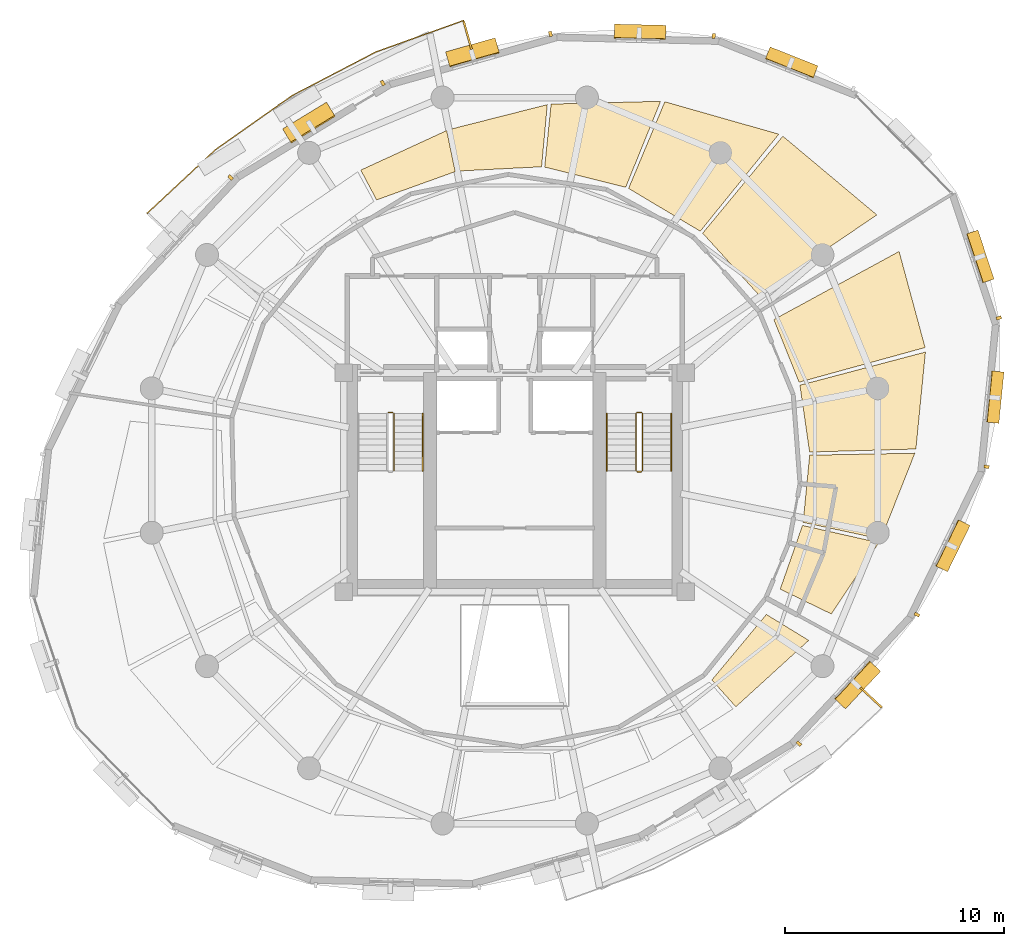
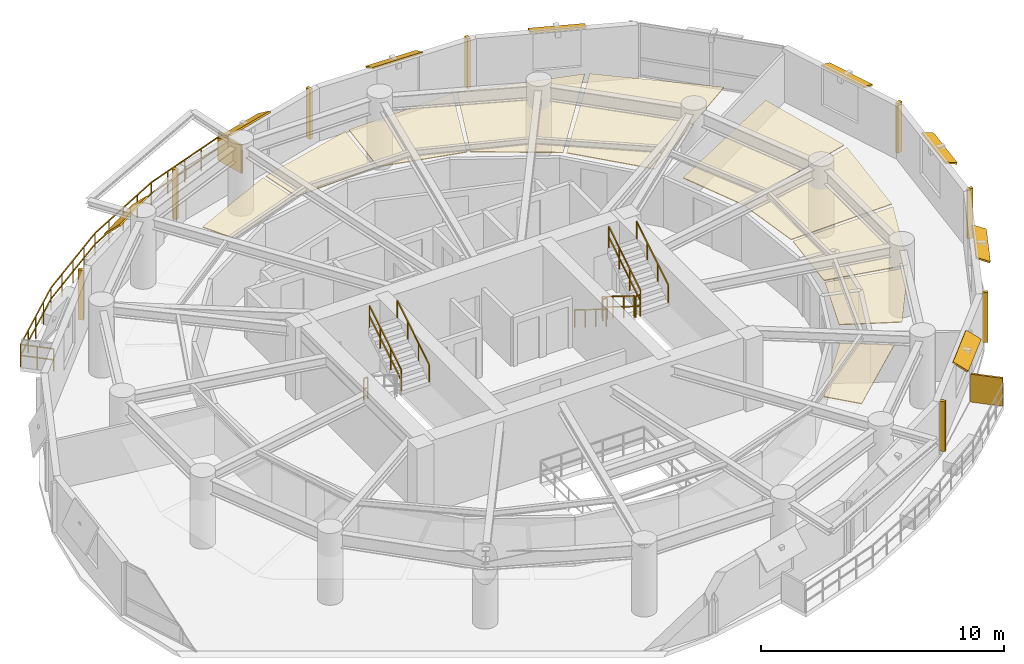
# One storey, part 14 of 15: 18 shading devices, 10 coverings, 10 railings.
"""IFC4 building model written with IfcOpenShell, lengths in metres."""

from ifc_helpers import new_model, si_unit, direction, frame, origin, origin_2d, place, context, subcontext, project, spatial, polyline, rectangle, outline, extrude, material, layer, layer_set, type_object, element, save


model = new_model("IFC4")

# Units and contexts
model_context = context("Model", 3, precision=1e-05, world=origin(), true_north=direction((0.0, 1.0)))
body_context = subcontext(model_context, "Body", "Model", "MODEL_VIEW")
ifc_project = project(units=[si_unit("LENGTHUNIT", "METRE"), si_unit("AREAUNIT", "SQUARE_METRE"), si_unit("VOLUMEUNIT", "CUBIC_METRE"), si_unit("PLANEANGLEUNIT", "RADIAN"), si_unit("MASSUNIT", "GRAM", prefix="KILO"), si_unit("THERMODYNAMICTEMPERATUREUNIT", "KELVIN"), si_unit("POWERUNIT", "WATT")], contexts=[model_context])

# Site, building, storey
site_placement = place(None, origin())
site = spatial("IfcSite", under=ifc_project, at=site_placement, CompositionType="ELEMENT")
building_placement = place(site_placement, origin())
building = spatial("IfcBuilding", under=site, at=building_placement, Name="Ocrelia Relay Tower", CompositionType="ELEMENT")
storey_placement = place(building_placement, frame((0.0, 0.0, 166.39990234375)))
storey = spatial("IfcBuildingStorey", under=building, at=storey_placement, Name="L39", CompositionType="ELEMENT", Elevation=166.39990234375)

# Coverings
ifc_material_1 = material(Name="Mineral-fiber acoustic ceiling tile", Category="gypsum")
ifc_layer_1 = layer(ifc_material_1, 0.0400390625, Name="Mineral-fiber acoustic ceiling tile")
ifc_layer_set_1 = layer_set([ifc_layer_1], Name="Mineral-fiber acoustic ceiling tile")
covering_type_1 = type_object("IfcCoveringType", Name="COV-CEIL-ACOUSTIC", PredefinedType="CEILING", material=ifc_layer_set_1)
covering_1_placement = place(storey_placement, frame((0.0, 0.0, 2.380126953125)))
element("IfcCovering", 1, at=covering_1_placement, inside=storey, type_object=covering_type_1, Name="L39 Spectrum Operations Office Suspended Ceiling 1", PredefinedType="CEILING", context=body_context, shape_type="SweptSolid", body=[
    extrude(outline(polyline([(46.122314453125, 20.126953125), (48.458984375, 18.99462890625), (50.6328125, 22.251708984375), (47.140380859375, 23.038818359375), (46.122314453125, 20.126953125)])), origin(), (0.0, 0.0, 1.0), 0.0400390625),
])
covering_2_placement = place(storey_placement, frame((0.0, 0.0, 2.380126953125)))
element("IfcCovering", 2, at=covering_2_placement, inside=storey, type_object=covering_type_1, Name="L39 Spectrum Operations Office Suspended Ceiling 2", PredefinedType="CEILING", context=body_context, shape_type="SweptSolid", body=[
    extrude(outline(polyline([(47.170654296875, 23.176513671875), (50.720703125, 22.415283203125), (52.269775390625, 26.334716796875), (47.4677734375, 26.246826171875), (47.170654296875, 23.176513671875)])), origin(), (0.0, 0.0, 1.0), 0.0400390625),
])
covering_3_placement = place(storey_placement, frame((0.0, 0.0, 2.380126953125)))
element("IfcCovering", 3, at=covering_3_placement, inside=storey, type_object=covering_type_1, Name="L39 Spectrum Operations Office Suspended Ceiling 3", PredefinedType="CEILING", context=body_context, shape_type="SweptSolid", body=[
    extrude(outline(polyline([(47.46435546875, 26.387939453125), (52.319091796875, 26.527587890625), (52.75390625, 30.955078125), (47.023193359375, 29.44091796875), (47.46435546875, 26.387939453125)])), origin(), (0.0, 0.0, 1.0), 0.0400390625),
])
covering_4_placement = place(storey_placement, frame((0.0, 0.0, 2.380126953125)))
element("IfcCovering", 4, at=covering_4_placement, inside=storey, type_object=covering_type_1, Name="L39 Spectrum Operations Office Suspended Ceiling 4", PredefinedType="CEILING", context=body_context, shape_type="SweptSolid", body=[
    extrude(outline(polyline([(46.986328125, 29.576904296875), (52.739501953125, 31.16162109375), (51.5517578125, 35.5498046875), (45.83203125, 32.437744140625), (46.986328125, 29.576904296875)])), origin(), (0.0, 0.0, 1.0), 0.0400390625),
])
covering_5_placement = place(storey_placement, frame((0.0, 0.0, 2.380126953125)))
element("IfcCovering", 5, at=covering_5_placement, inside=storey, type_object=covering_type_1, Name="L39 Cloud Engineering Workspace Suspended Ceiling 1", PredefinedType="CEILING", context=body_context, shape_type="SweptSolid", body=[
    extrude(outline(polyline([(45.1474609375, 33.5615234375), (50.5361328125, 37.216796875), (46.243408203125, 40.81298828125), (42.58154296875, 36.382568359375), (45.1474609375, 33.5615234375)])), origin(), (0.0, 0.0, 1.0), 0.0400390625),
])
covering_6_placement = place(storey_placement, frame((0.0, 0.0, 2.380126953125)))
element("IfcCovering", 6, at=covering_6_placement, inside=storey, type_object=covering_type_1, Name="L39 Cloud Engineering Workspace Suspended Ceiling 2", PredefinedType="CEILING", context=body_context, shape_type="SweptSolid", body=[
    extrude(outline(polyline([(42.472412109375, 36.471923828125), (46.05908203125, 40.9052734375), (40.85400390625, 42.385009765625), (39.1982421875, 38.426513671875), (42.472412109375, 36.471923828125)])), origin(), (0.0, 0.0, 1.0), 0.0400390625),
])
covering_7_placement = place(storey_placement, frame((0.0, 0.0, 2.380126953125)))
element("IfcCovering", 7, at=covering_7_placement, inside=storey, type_object=covering_type_1, Name="L39 Cloud Engineering Workspace Suspended Ceiling 3", PredefinedType="CEILING", context=body_context, shape_type="SweptSolid", body=[
    extrude(outline(polyline([(39.067626953125, 38.480224609375), (40.66162109375, 42.405517578125), (35.660888671875, 42.279296875), (35.3671875, 39.400390625), (39.067626953125, 38.480224609375)])), origin(), (0.0, 0.0, 1.0), 0.0400390625),
])
covering_8_placement = place(storey_placement, frame((0.0, 0.0, 2.380126953125)))
element("IfcCovering", 8, at=covering_8_placement, inside=storey, type_object=covering_type_1, Name="L39 Cloud Engineering Workspace Suspended Ceiling 4", PredefinedType="CEILING", context=body_context, shape_type="SweptSolid", body=[
    extrude(outline(polyline([(35.226806640625, 39.4140625), (35.486328125, 42.25341796875), (31.046142578125, 41.12548828125), (31.418212890625, 39.22021484375), (35.226806640625, 39.4140625)])), origin(), (0.0, 0.0, 1.0), 0.0400390625),
])
covering_9_placement = place(storey_placement, frame((0.0, 0.0, 2.380126953125)))
element("IfcCovering", 9, at=covering_9_placement, inside=storey, type_object=covering_type_1, Name="L39 Cloud Engineering Workspace Suspended Ceiling 5", PredefinedType="CEILING", context=body_context, shape_type="SweptSolid", body=[
    extrude(outline(polyline([(31.280029296875, 39.1923828125), (30.892822265625, 41.0703125), (26.9697265625, 39.263916015625), (27.69189453125, 37.901611328125), (31.280029296875, 39.1923828125)])), origin(), (0.0, 0.0, 1.0), 0.0400390625),
])
ifc_material_2 = material(Name="Cleanroom metal-pan acoustic ceiling", Category="aluminium")
ifc_layer_2 = layer(ifc_material_2, 0.0400390625, Name="Cleanroom metal-pan acoustic ceiling")
ifc_layer_set_2 = layer_set([ifc_layer_2], Name="Cleanroom metal-pan acoustic ceiling")
covering_type_2 = type_object("IfcCoveringType", Name="COV-CEIL-CLEAN", PredefinedType="CEILING", material=ifc_layer_set_2)
covering_10_placement = place(storey_placement, frame((0.0, 0.0, 2.380126953125)))
element("IfcCovering", 10, at=covering_10_placement, inside=storey, type_object=covering_type_2, Name="L39 Protocol Simulation Studio Suspended Ceiling 9", PredefinedType="CEILING", context=body_context, shape_type="SweptSolid", body=[
    extrude(outline(polyline([(43.00048828125, 15.978515625), (44.09765625, 14.757080078125), (47.4248046875, 17.789306640625), (45.4912109375, 18.971923828125), (43.00048828125, 15.978515625)])), origin(), (0.0, 0.0, 1.0), 0.0400390625),
])

# Railings
ifc_material_3 = material(Name="Steel S355 balustrade", Category="steel")
railing_type_1 = type_object("IfcRailingType", Name="RL-EXT-GUARD-1150", PredefinedType="GUARDRAIL", material=ifc_material_3)
railing_1_placement = place(storey_placement, frame((18.23583984375, 36.346435546875, 0.0)))
element("IfcRailing", 11, at=railing_1_placement, inside=storey, type_object=railing_type_1, Name="L39 Loggia Balcony Guard Rail B1", PredefinedType="GUARDRAIL", context=body_context, shape_type="SweptSolid", body=[
    extrude(rectangle(XDim=0.048095703125, YDim=0.048095703125, at=origin_2d()), frame((0.0, 0.0, 1.1259765625), z_axis=(-0.731294097738, 0.6820622718, 0.0), x_axis=(-0.6820622718, -0.731294097738, 0.0)), (0.0, 0.0, 1.0), 1.3935546875),
    extrude(rectangle(XDim=0.048095703125, YDim=0.048095703125, at=origin_2d()), frame((0.0, 0.0, 0.574951171875), z_axis=(-0.731294097738, 0.6820622718, 0.0), x_axis=(-0.6820622718, -0.731294097738, 0.0)), (0.0, 0.0, 1.0), 1.3935546875),
    extrude(rectangle(XDim=0.048095703125, YDim=0.048095703125, at=origin_2d()), frame((-1.01904296875, 0.950439453125, 1.1259765625), z_axis=(0.731856461908, 0.681458816924, 0.0), x_axis=(-0.681458816924, 0.731856461908, 0.0)), (0.0, 0.0, 1.0), 2.126708984375),
    extrude(rectangle(XDim=0.048095703125, YDim=0.048095703125, at=origin_2d()), frame((-1.01904296875, 0.950439453125, 0.574951171875), z_axis=(0.731856461908, 0.681458816924, 0.0), x_axis=(-0.681458816924, 0.731856461908, 0.0)), (0.0, 0.0, 1.0), 2.126708984375),
    extrude(rectangle(XDim=0.048095703125, YDim=0.048095703125, at=origin_2d()), frame((0.537353515625, 2.399658203125, 1.1259765625), z_axis=(0.731745884926, 0.68157755237, 0.0), x_axis=(-0.68157755237, 0.731745884926, 0.0)), (0.0, 0.0, 1.0), 2.126708984375),
    extrude(rectangle(XDim=0.048095703125, YDim=0.048095703125, at=origin_2d()), frame((0.537353515625, 2.399658203125, 0.574951171875), z_axis=(0.731745884926, 0.68157755237, 0.0), x_axis=(-0.68157755237, 0.731745884926, 0.0)), (0.0, 0.0, 1.0), 2.126708984375),
    extrude(rectangle(XDim=0.048095703125, YDim=0.048095703125, at=origin_2d()), frame((2.093505859375, 3.84912109375, 1.1259765625), z_axis=(0.817271506757, 0.576252795432, 0.0), x_axis=(-0.576252795432, 0.817271506757, 0.0)), (0.0, 0.0, 1.0), 4.299072265625),
    extrude(rectangle(XDim=0.048095703125, YDim=0.048095703125, at=origin_2d()), frame((2.093505859375, 3.84912109375, 0.574951171875), z_axis=(0.817271506757, 0.576252795432, 0.0), x_axis=(-0.576252795432, 0.817271506757, 0.0)), (0.0, 0.0, 1.0), 4.299072265625),
    extrude(rectangle(XDim=0.048095703125, YDim=0.048095703125, at=origin_2d()), frame((5.60693359375, 6.326416015625, 1.1259765625), z_axis=(0.88692280877, 0.461917667213, 0.0), x_axis=(-0.461917667213, 0.88692280877, 0.0)), (0.0, 0.0, 1.0), 4.299072265625),
    extrude(rectangle(XDim=0.048095703125, YDim=0.048095703125, at=origin_2d()), frame((5.60693359375, 6.326416015625, 0.574951171875), z_axis=(0.88692280877, 0.461917667213, 0.0), x_axis=(-0.461917667213, 0.88692280877, 0.0)), (0.0, 0.0, 1.0), 4.299072265625),
    extrude(rectangle(XDim=0.048095703125, YDim=0.048095703125, at=origin_2d()), frame((9.419921875, 8.312255859375, 1.1259765625), z_axis=(0.941239592632, 0.33773958794, 0.0), x_axis=(-0.33773958794, 0.941239592632, 0.0)), (0.0, 0.0, 1.0), 2.126708984375),
    extrude(rectangle(XDim=0.048095703125, YDim=0.048095703125, at=origin_2d()), frame((9.419921875, 8.312255859375, 0.574951171875), z_axis=(0.941239592632, 0.33773958794, 0.0), x_axis=(-0.33773958794, 0.941239592632, 0.0)), (0.0, 0.0, 1.0), 2.126708984375),
    extrude(rectangle(XDim=0.048095703125, YDim=0.048095703125, at=origin_2d()), frame((11.421630859375, 9.030517578125, 1.1259765625), z_axis=(0.941239592632, 0.33773958794, 0.0), x_axis=(-0.33773958794, 0.941239592632, 0.0)), (0.0, 0.0, 1.0), 2.126708984375),
    extrude(rectangle(XDim=0.048095703125, YDim=0.048095703125, at=origin_2d()), frame((11.421630859375, 9.030517578125, 0.574951171875), z_axis=(0.941239592632, 0.33773958794, 0.0), x_axis=(-0.33773958794, 0.941239592632, 0.0)), (0.0, 0.0, 1.0), 2.126708984375),
    extrude(rectangle(XDim=0.048095703125, YDim=0.048095703125, at=origin_2d()), frame((13.42333984375, 9.748779296875, 1.1259765625), z_axis=(0.270669475179, -0.962672340522, 0.0), x_axis=(0.962672340522, 0.270669475179, 0.0)), (0.0, 0.0, 1.0), 1.3935546875),
    extrude(rectangle(XDim=0.048095703125, YDim=0.048095703125, at=origin_2d()), frame((13.42333984375, 9.748779296875, 0.574951171875), z_axis=(0.270669475179, -0.962672340522, 0.0), x_axis=(0.962672340522, 0.270669475179, 0.0)), (0.0, 0.0, 1.0), 1.3935546875),
    extrude(rectangle(XDim=0.0419921875, YDim=0.0419921875, at=origin_2d()), origin(), (0.0, 0.0, 1.0), 1.101806640625),
    extrude(rectangle(XDim=0.0419921875, YDim=0.0419921875, at=origin_2d()), frame((-0.509521484375, 0.47509765625, 0.0)), (0.0, 0.0, 1.0), 1.101806640625),
    extrude(rectangle(XDim=0.0419921875, YDim=0.0419921875, at=origin_2d()), frame((-1.01904296875, 0.950439453125, 0.0)), (0.0, 0.0, 1.0), 1.101806640625),
    extrude(rectangle(XDim=0.0419921875, YDim=0.0419921875, at=origin_2d()), frame((-0.24072265625, 1.675048828125, 0.0)), (0.0, 0.0, 1.0), 1.101806640625),
    extrude(rectangle(XDim=0.0419921875, YDim=0.0419921875, at=origin_2d()), frame((0.537353515625, 2.399658203125, 0.0)), (0.0, 0.0, 1.0), 1.101806640625),
    extrude(rectangle(XDim=0.0419921875, YDim=0.0419921875, at=origin_2d()), frame((1.3154296875, 3.12451171875, 0.0)), (0.0, 0.0, 1.0), 1.101806640625),
    extrude(rectangle(XDim=0.0419921875, YDim=0.0419921875, at=origin_2d()), frame((2.093505859375, 3.84912109375, 0.0)), (0.0, 0.0, 1.0), 1.101806640625),
    extrude(rectangle(XDim=0.0419921875, YDim=0.0419921875, at=origin_2d()), frame((2.971923828125, 4.468505859375, 0.0)), (0.0, 0.0, 1.0), 1.101806640625),
    extrude(rectangle(XDim=0.0419921875, YDim=0.0419921875, at=origin_2d()), frame((3.85009765625, 5.087890625, 0.0)), (0.0, 0.0, 1.0), 1.101806640625),
    extrude(rectangle(XDim=0.0419921875, YDim=0.0419921875, at=origin_2d()), frame((4.728515625, 5.70703125, 0.0)), (0.0, 0.0, 1.0), 1.101806640625),
    extrude(rectangle(XDim=0.0419921875, YDim=0.0419921875, at=origin_2d()), frame((5.60693359375, 6.326416015625, 0.0)), (0.0, 0.0, 1.0), 1.101806640625),
    extrude(rectangle(XDim=0.0419921875, YDim=0.0419921875, at=origin_2d()), frame((6.56005859375, 6.82275390625, 0.0)), (0.0, 0.0, 1.0), 1.101806640625),
    extrude(rectangle(XDim=0.0419921875, YDim=0.0419921875, at=origin_2d()), frame((7.513427734375, 7.3193359375, 0.0)), (0.0, 0.0, 1.0), 1.101806640625),
    extrude(rectangle(XDim=0.0419921875, YDim=0.0419921875, at=origin_2d()), frame((8.466796875, 7.81591796875, 0.0)), (0.0, 0.0, 1.0), 1.101806640625),
    extrude(rectangle(XDim=0.0419921875, YDim=0.0419921875, at=origin_2d()), frame((9.419921875, 8.312255859375, 0.0)), (0.0, 0.0, 1.0), 1.101806640625),
    extrude(rectangle(XDim=0.0419921875, YDim=0.0419921875, at=origin_2d()), frame((10.4208984375, 8.67138671875, 0.0)), (0.0, 0.0, 1.0), 1.101806640625),
    extrude(rectangle(XDim=0.0419921875, YDim=0.0419921875, at=origin_2d()), frame((11.421630859375, 9.030517578125, 0.0)), (0.0, 0.0, 1.0), 1.101806640625),
    extrude(rectangle(XDim=0.0419921875, YDim=0.0419921875, at=origin_2d()), frame((12.42236328125, 9.3896484375, 0.0)), (0.0, 0.0, 1.0), 1.101806640625),
    extrude(rectangle(XDim=0.0419921875, YDim=0.0419921875, at=origin_2d()), frame((13.42333984375, 9.748779296875, 0.0)), (0.0, 0.0, 1.0), 1.101806640625),
    extrude(rectangle(XDim=0.0419921875, YDim=0.0419921875, at=origin_2d()), frame((13.61181640625, 9.078125, 0.0)), (0.0, 0.0, 1.0), 1.101806640625),
    extrude(rectangle(XDim=0.0419921875, YDim=0.0419921875, at=origin_2d()), frame((13.800537109375, 8.4072265625, 0.0)), (0.0, 0.0, 1.0), 1.101806640625),
])
railing_type_2 = type_object("IfcRailingType", Name="RL-STAIR-GUARD", PredefinedType="GUARDRAIL", material=ifc_material_3)
railing_2_placement = place(storey_placement, frame((28.47998046875, 25.5400390625, 1.97998046875)))
element("IfcRailing", 12, at=railing_2_placement, inside=storey, type_object=railing_type_2, Name="L39 ST1 stair guard 3", PredefinedType="GUARDRAIL", context=body_context, shape_type="SweptSolid", body=[
    extrude(rectangle(XDim=0.048095703125, YDim=0.048095703125, at=origin_2d()), frame((0.0, 0.0, 1.076171875), z_axis=(0.0, 0.849610693518, 0.52741034258), x_axis=(-1.0, 0.0, 0.0)), (0.0, 0.0, 1.0), 3.07177734375),
    extrude(rectangle(XDim=0.048095703125, YDim=0.048095703125, at=origin_2d()), frame((0.0, 0.0, 0.550048828125), z_axis=(0.0, 0.849610693518, 0.52741034258), x_axis=(-1.0, 0.0, 0.0)), (0.0, 0.0, 1.0), 3.07177734375),
    extrude(rectangle(XDim=0.0419921875, YDim=0.0419921875, at=origin_2d()), origin(), (0.0, 0.0, 1.0), 1.052001953125),
    extrude(rectangle(XDim=0.0419921875, YDim=0.0419921875, at=origin_2d()), frame((0.0, 0.869873046875, 0.5400390625)), (0.0, 0.0, 1.0), 1.052001953125),
    extrude(rectangle(XDim=0.0419921875, YDim=0.0419921875, at=origin_2d()), frame((0.0, 1.739990234375, 1.080078125)), (0.0, 0.0, 1.0), 1.052001953125),
    extrude(rectangle(XDim=0.0419921875, YDim=0.0419921875, at=origin_2d()), frame((0.0, 2.60986328125, 1.6201171875)), (0.0, 0.0, 1.0), 1.052001953125),
])
railing_3_placement = place(storey_placement, frame((28.22998046875, 28.199951171875, 0.0)))
element("IfcRailing", 13, at=railing_3_placement, inside=storey, type_object=railing_type_2, Name="L39 ST1 stair guard 4", PredefinedType="GUARDRAIL", context=body_context, shape_type="SweptSolid", body=[
    extrude(rectangle(XDim=0.048095703125, YDim=0.048095703125, at=origin_2d()), frame((0.0, 0.0, 1.076171875), z_axis=(1.0, 0.0, 0.0), x_axis=(0.0, 1.0, 0.0)), (0.0, 0.0, 1.0), 0.199951171875),
    extrude(rectangle(XDim=0.048095703125, YDim=0.048095703125, at=origin_2d()), frame((0.0, 0.0, 0.550048828125), z_axis=(1.0, 0.0, 0.0), x_axis=(0.0, 1.0, 0.0)), (0.0, 0.0, 1.0), 0.199951171875),
    extrude(rectangle(XDim=0.0419921875, YDim=0.0419921875, at=origin_2d()), origin(), (0.0, 0.0, 1.0), 1.052001953125),
    extrude(rectangle(XDim=0.0419921875, YDim=0.0419921875, at=origin_2d()), frame((0.199951171875, 0.0, 0.0)), (0.0, 0.0, 1.0), 1.052001953125),
])
railing_4_placement = place(storey_placement, frame((39.530029296875, 28.14990234375, 0.18017578125)))
element("IfcRailing", 14, at=railing_4_placement, inside=storey, type_object=railing_type_2, Name="L39 ST2 stair guard 1", PredefinedType="GUARDRAIL", context=body_context, shape_type="SweptSolid", body=[
    extrude(rectangle(XDim=0.048095703125, YDim=0.048095703125, at=origin_2d()), frame((0.0, 0.0, 1.076171875), z_axis=(0.0, -0.849646306263, 0.527352969322), x_axis=(1.0, 0.0, 0.0)), (0.0, 0.0, 1.0), 3.07177734375),
    extrude(rectangle(XDim=0.048095703125, YDim=0.048095703125, at=origin_2d()), frame((0.0, 0.0, 0.550048828125), z_axis=(0.0, -0.849646306263, 0.527352969322), x_axis=(1.0, 0.0, 0.0)), (0.0, 0.0, 1.0), 3.07177734375),
    extrude(rectangle(XDim=0.0419921875, YDim=0.0419921875, at=origin_2d()), origin(), (0.0, 0.0, 1.0), 1.052001953125),
    extrude(rectangle(XDim=0.0419921875, YDim=0.0419921875, at=origin_2d()), frame((0.0, -0.869873046875, 0.5400390625)), (0.0, 0.0, 1.0), 1.052001953125),
    extrude(rectangle(XDim=0.0419921875, YDim=0.0419921875, at=origin_2d()), frame((0.0, -1.739990234375, 1.079833984375)), (0.0, 0.0, 1.0), 1.052001953125),
    extrude(rectangle(XDim=0.0419921875, YDim=0.0419921875, at=origin_2d()), frame((0.0, -2.60986328125, 1.619873046875)), (0.0, 0.0, 1.0), 1.052001953125),
])
railing_5_placement = place(storey_placement, frame((39.580078125, 25.489990234375, 1.800048828125)))
element("IfcRailing", 15, at=railing_5_placement, inside=storey, type_object=railing_type_2, Name="L39 ST2 stair guard 2", PredefinedType="GUARDRAIL", context=body_context, shape_type="SweptSolid", body=[
    extrude(rectangle(XDim=0.048095703125, YDim=0.048095703125, at=origin_2d()), frame((0.0, 0.0, 1.076171875), z_axis=(1.0, 0.0, 0.0), x_axis=(0.0, 1.0, 0.0)), (0.0, 0.0, 1.0), 0.199951171875),
    extrude(rectangle(XDim=0.048095703125, YDim=0.048095703125, at=origin_2d()), frame((0.0, 0.0, 0.550048828125), z_axis=(1.0, 0.0, 0.0), x_axis=(0.0, 1.0, 0.0)), (0.0, 0.0, 1.0), 0.199951171875),
    extrude(rectangle(XDim=0.0419921875, YDim=0.0419921875, at=origin_2d()), origin(), (0.0, 0.0, 1.0), 1.052001953125),
    extrude(rectangle(XDim=0.0419921875, YDim=0.0419921875, at=origin_2d()), frame((0.199951171875, 0.0, 0.0)), (0.0, 0.0, 1.0), 1.052001953125),
])
railing_6_placement = place(storey_placement, frame((39.830078125, 25.5400390625, 1.97998046875)))
element("IfcRailing", 16, at=railing_6_placement, inside=storey, type_object=railing_type_2, Name="L39 ST2 stair guard 3", PredefinedType="GUARDRAIL", context=body_context, shape_type="SweptSolid", body=[
    extrude(rectangle(XDim=0.048095703125, YDim=0.048095703125, at=origin_2d()), frame((0.0, 0.0, 1.076171875), z_axis=(0.0, 0.849610693518, 0.52741034258), x_axis=(-1.0, 0.0, 0.0)), (0.0, 0.0, 1.0), 3.07177734375),
    extrude(rectangle(XDim=0.048095703125, YDim=0.048095703125, at=origin_2d()), frame((0.0, 0.0, 0.550048828125), z_axis=(0.0, 0.849610693518, 0.52741034258), x_axis=(-1.0, 0.0, 0.0)), (0.0, 0.0, 1.0), 3.07177734375),
    extrude(rectangle(XDim=0.0419921875, YDim=0.0419921875, at=origin_2d()), origin(), (0.0, 0.0, 1.0), 1.052001953125),
    extrude(rectangle(XDim=0.0419921875, YDim=0.0419921875, at=origin_2d()), frame((0.0, 0.869873046875, 0.5400390625)), (0.0, 0.0, 1.0), 1.052001953125),
    extrude(rectangle(XDim=0.0419921875, YDim=0.0419921875, at=origin_2d()), frame((0.0, 1.739990234375, 1.080078125)), (0.0, 0.0, 1.0), 1.052001953125),
    extrude(rectangle(XDim=0.0419921875, YDim=0.0419921875, at=origin_2d()), frame((0.0, 2.60986328125, 1.6201171875)), (0.0, 0.0, 1.0), 1.052001953125),
])
railing_7_placement = place(storey_placement, frame((39.580078125, 28.199951171875, 0.0)))
element("IfcRailing", 17, at=railing_7_placement, inside=storey, type_object=railing_type_2, Name="L39 ST2 stair guard 4", PredefinedType="GUARDRAIL", context=body_context, shape_type="SweptSolid", body=[
    extrude(rectangle(XDim=0.048095703125, YDim=0.048095703125, at=origin_2d()), frame((0.0, 0.0, 1.076171875), z_axis=(1.0, 0.0, 0.0), x_axis=(0.0, 1.0, 0.0)), (0.0, 0.0, 1.0), 0.199951171875),
    extrude(rectangle(XDim=0.048095703125, YDim=0.048095703125, at=origin_2d()), frame((0.0, 0.0, 0.550048828125), z_axis=(1.0, 0.0, 0.0), x_axis=(0.0, 1.0, 0.0)), (0.0, 0.0, 1.0), 0.199951171875),
    extrude(rectangle(XDim=0.0419921875, YDim=0.0419921875, at=origin_2d()), origin(), (0.0, 0.0, 1.0), 1.052001953125),
    extrude(rectangle(XDim=0.0419921875, YDim=0.0419921875, at=origin_2d()), frame((0.199951171875, 0.0, 0.0)), (0.0, 0.0, 1.0), 1.052001953125),
])
ifc_material_4 = material(Name="Steel S355 tubular handrail", Category="steel")
railing_type_3 = type_object("IfcRailingType", Name="RL-STAIR-HAND", PredefinedType="HANDRAIL", material=ifc_material_4)
railing_8_placement = place(storey_placement, frame((29.800048828125, 25.5400390625, 1.97998046875)))
element("IfcRailing", 18, at=railing_8_placement, inside=storey, type_object=railing_type_3, Name="L39 ST1 stair handrail 2", PredefinedType="HANDRAIL", context=body_context, shape_type="SweptSolid", body=[
    extrude(rectangle(XDim=0.048095703125, YDim=0.048095703125, at=origin_2d()), frame((0.0, 0.0, 0.8759765625), z_axis=(0.0, 0.849610693518, 0.52741034258), x_axis=(-1.0, 0.0, 0.0)), (0.0, 0.0, 1.0), 3.07177734375),
    extrude(rectangle(XDim=0.0419921875, YDim=0.0419921875, at=origin_2d()), origin(), (0.0, 0.0, 1.0), 0.851806640625),
    extrude(rectangle(XDim=0.0419921875, YDim=0.0419921875, at=origin_2d()), frame((0.0, 0.869873046875, 0.5400390625)), (0.0, 0.0, 1.0), 0.851806640625),
    extrude(rectangle(XDim=0.0419921875, YDim=0.0419921875, at=origin_2d()), frame((0.0, 1.739990234375, 1.080078125)), (0.0, 0.0, 1.0), 0.851806640625),
    extrude(rectangle(XDim=0.0419921875, YDim=0.0419921875, at=origin_2d()), frame((0.0, 2.60986328125, 1.6201171875)), (0.0, 0.0, 1.0), 0.851806640625),
])
railing_9_placement = place(storey_placement, frame((38.2099609375, 28.14990234375, 0.18017578125)))
element("IfcRailing", 19, at=railing_9_placement, inside=storey, type_object=railing_type_3, Name="L39 ST2 stair handrail 1", PredefinedType="HANDRAIL", context=body_context, shape_type="SweptSolid", body=[
    extrude(rectangle(XDim=0.048095703125, YDim=0.048095703125, at=origin_2d()), frame((0.0, 0.0, 0.8759765625), z_axis=(0.0, -0.849646306263, 0.527352969322), x_axis=(1.0, 0.0, 0.0)), (0.0, 0.0, 1.0), 3.07177734375),
    extrude(rectangle(XDim=0.0419921875, YDim=0.0419921875, at=origin_2d()), origin(), (0.0, 0.0, 1.0), 0.851806640625),
    extrude(rectangle(XDim=0.0419921875, YDim=0.0419921875, at=origin_2d()), frame((0.0, -0.869873046875, 0.5400390625)), (0.0, 0.0, 1.0), 0.851806640625),
    extrude(rectangle(XDim=0.0419921875, YDim=0.0419921875, at=origin_2d()), frame((0.0, -1.739990234375, 1.079833984375)), (0.0, 0.0, 1.0), 0.851806640625),
    extrude(rectangle(XDim=0.0419921875, YDim=0.0419921875, at=origin_2d()), frame((0.0, -2.60986328125, 1.619873046875)), (0.0, 0.0, 1.0), 0.851806640625),
])
railing_10_placement = place(storey_placement, frame((41.14990234375, 25.5400390625, 1.97998046875)))
element("IfcRailing", 20, at=railing_10_placement, inside=storey, type_object=railing_type_3, Name="L39 ST2 stair handrail 2", PredefinedType="HANDRAIL", context=body_context, shape_type="SweptSolid", body=[
    extrude(rectangle(XDim=0.048095703125, YDim=0.048095703125, at=origin_2d()), frame((0.0, 0.0, 0.8759765625), z_axis=(0.0, 0.849610693518, 0.52741034258), x_axis=(-1.0, 0.0, 0.0)), (0.0, 0.0, 1.0), 3.07177734375),
    extrude(rectangle(XDim=0.0419921875, YDim=0.0419921875, at=origin_2d()), origin(), (0.0, 0.0, 1.0), 0.851806640625),
    extrude(rectangle(XDim=0.0419921875, YDim=0.0419921875, at=origin_2d()), frame((0.0, 0.869873046875, 0.5400390625)), (0.0, 0.0, 1.0), 0.851806640625),
    extrude(rectangle(XDim=0.0419921875, YDim=0.0419921875, at=origin_2d()), frame((0.0, 1.739990234375, 1.080078125)), (0.0, 0.0, 1.0), 0.851806640625),
    extrude(rectangle(XDim=0.0419921875, YDim=0.0419921875, at=origin_2d()), frame((0.0, 2.60986328125, 1.6201171875)), (0.0, 0.0, 1.0), 0.851806640625),
])

# Shading devices
ifc_material_5 = material(Name="Perforated oxide terracotta solar screen", Category="masonry")
ifc_layer_3 = layer(ifc_material_5, 0.090087890625, Name="Perforated oxide terracotta solar screen")
ifc_layer_set_3 = layer_set([ifc_layer_3], Name="Perforated oxide terracotta solar screen")
shading_device_type_1 = type_object("IfcShadingDeviceType", Name="SH-BALC-SCREEN", PredefinedType="USERDEFINED", material=ifc_layer_set_3)
for number, where, z_axis, x_axis, name in (
    (21, (31.84765625, 45.42431640625, 0.000244140625), (0.0, 0.0, 1.0), (-0.270699854449, 0.962663798427, 0.0), "L39 Balcony Perforated Terracotta Screen B1-1"),
    (22, (50.273681640625, 15.178466796875, 0.000244140625), (0.0, 0.0, 1.0), (0.731293874764, -0.682062510869, 0.0), "L39 Balcony Perforated Terracotta Screen B2-2"),
):
    element("IfcShadingDevice", number, at=place(storey_placement, frame(where, z_axis=z_axis, x_axis=x_axis)), inside=storey, type_object=shading_device_type_1, Name=name, ObjectType="SCREEN", PredefinedType="USERDEFINED", context=body_context, shape_type="SweptSolid", body=[
        extrude(rectangle(XDim=1.340087890625, YDim=0.090087890625, at=origin_2d()), origin(), (0.0, 0.0, 1.0), 1.39990234375),
    ])
ifc_material_6 = material(Name="Extruded oxide terracotta vertical baguette", Category="masonry")
shading_device_type_2 = type_object("IfcShadingDeviceType", Name="SH-TERR-BAGUETTE", PredefinedType="USERDEFINED", material=ifc_material_6)
for number, where, z_axis, x_axis, name in (
    (23, (43.087890625, 45.3876953125, 0.080078125), (0.0, 0.0, 1.0), (-0.999724288476, 0.02348078005, 0.0), "L39 Oxide Terracotta Vertical Baguette 03"),
    (24, (35.63330078125, 45.481689453125, 0.080078125), (0.0, 0.0, 1.0), (-0.962256921298, -0.272142641667, 0.0), "L39 Oxide Terracotta Vertical Baguette 04"),
    (25, (27.974365234375, 43.239990234375, 0.080078125), (0.0, 0.0, 1.0), (-0.85400341468, -0.520267400204, 0.0), "L39 Oxide Terracotta Vertical Baguette 05"),
    (26, (21.026611328125, 38.92236328125, 0.080078125), (0.0, 0.0, 1.0), (-0.683168630663, -0.730260653519, 0.0), "L39 Oxide Terracotta Vertical Baguette 06"),
    (27, (46.973388671875, 13.07763671875, 0.080078125), (0.0, 0.0, 1.0), (0.683168630663, 0.730260653519, 0.0), "L39 Oxide Terracotta Vertical Baguette 15"),
    (28, (52.36865234375, 18.96337890625, 0.080078125), (0.0, 0.0, 1.0), (0.437655374845, 0.899142798931, 0.0), "L39 Oxide Terracotta Vertical Baguette 16"),
    (29, (55.547119140625, 25.7158203125, 0.080078125), (0.0, 0.0, 1.0), (0.099214537496, 0.995066065922, 0.0), "L39 Oxide Terracotta Vertical Baguette 17"),
    (30, (56.106201171875, 32.511962890625, 0.080078125), (0.0, 0.0, 1.0), (-0.315148416844, 0.949042399138, 0.0), "L39 Oxide Terracotta Vertical Baguette 18"),
):
    element("IfcShadingDevice", number, at=place(storey_placement, frame(where, z_axis=z_axis, x_axis=x_axis)), inside=storey, type_object=shading_device_type_2, Name=name, ObjectType="BAGUETTE", PredefinedType="USERDEFINED", context=body_context, shape_type="SweptSolid", body=[
        extrude(rectangle(XDim=0.139892578125, YDim=0.239990234375, at=origin_2d()), origin(), (0.0, 0.0, 1.0), 2.5),
    ])
ifc_material_7 = material(Name="Extruded oxide terracotta fin", Category="masonry")
ifc_layer_4 = layer(ifc_material_7, 0.080078125, Name="Extruded oxide terracotta fin")
ifc_layer_set_4 = layer_set([ifc_layer_4], Name="Extruded oxide terracotta fin")
shading_device_type_3 = type_object("IfcShadingDeviceType", Name="SH-VISOR-FIN-MED", PredefinedType="USERDEFINED", material=ifc_layer_set_4)
shading_device_1_placement = place(storey_placement, frame((32.078857421875, 44.61279296875, 2.466796875), z_axis=(-0.152770374315, 0.540173892459, 0.827570769564), x_axis=(-0.962256921298, -0.272142641667, 0.0)))
element("IfcShadingDevice", 31, at=shading_device_1_placement, inside=storey, type_object=shading_device_type_3, Name="L39 Canted Terracotta Sun-Visor Fin 04", ObjectType="FIN", PredefinedType="USERDEFINED", context=body_context, shape_type="SweptSolid", body=[
    extrude(rectangle(XDim=2.35009765625, YDim=0.819091796875, at=origin_2d()), origin(), (0.0, 0.0, 1.0), 0.080078125),
])
shading_device_2_placement = place(storey_placement, frame((24.615234375, 41.40478515625, 2.471435546875), z_axis=(-0.365630477609, 0.600171520005, 0.711413030818), x_axis=(-0.85400341468, -0.520267400204, 0.0)))
element("IfcShadingDevice", 32, at=shading_device_2_placement, inside=storey, type_object=shading_device_type_3, Name="L39 Canted Terracotta Sun-Visor Fin 05", ObjectType="FIN", PredefinedType="USERDEFINED", context=body_context, shape_type="SweptSolid", body=[
    extrude(rectangle(XDim=2.35009765625, YDim=0.993896484375, at=origin_2d()), origin(), (0.0, 0.0, 1.0), 0.080078125),
])
ifc_layer_5 = layer(ifc_material_7, 0.080078125, Name="Extruded oxide terracotta fin")
ifc_layer_set_5 = layer_set([ifc_layer_5], Name="Extruded oxide terracotta fin")
shading_device_type_4 = type_object("IfcShadingDeviceType", Name="SH-VISOR-FIN-SHAL", PredefinedType="USERDEFINED", material=ifc_layer_set_5)
shading_device_3_placement = place(storey_placement, frame((46.640380859375, 44.1669921875, 2.462646484375), z_axis=(0.133459309602, 0.336971726226, 0.932007869283), x_axis=(-0.929736094537, 0.368226553246, 0.0)))
element("IfcShadingDevice", 33, at=shading_device_3_placement, inside=storey, type_object=shading_device_type_4, Name="L39 Canted Terracotta Sun-Visor Fin 02", ObjectType="FIN", PredefinedType="USERDEFINED", context=body_context, shape_type="SweptSolid", body=[
    extrude(rectangle(XDim=2.35009765625, YDim=0.60400390625, at=origin_2d()), origin(), (0.0, 0.0, 1.0), 0.080078125),
])
shading_device_4_placement = place(storey_placement, frame((39.722900390625, 45.559326171875, 2.464111328125), z_axis=(0.010352190829, 0.440757785224, 0.897566380225), x_axis=(-0.999724288476, 0.02348078005, 0.0)))
element("IfcShadingDevice", 34, at=shading_device_4_placement, inside=storey, type_object=shading_device_type_4, Name="L39 Canted Terracotta Sun-Visor Fin 03", ObjectType="FIN", PredefinedType="USERDEFINED", context=body_context, shape_type="SweptSolid", body=[
    extrude(rectangle(XDim=2.35009765625, YDim=0.68603515625, at=origin_2d()), origin(), (0.0, 0.0, 1.0), 0.080078125),
])
shading_device_5_placement = place(storey_placement, frame((49.641845703125, 15.7666015625, 2.465087890625), z_axis=(0.357932358773, -0.33485051979, 0.871641873673), x_axis=(0.683168630663, 0.730260653519, 0.0)))
element("IfcShadingDevice", 35, at=shading_device_5_placement, inside=storey, type_object=shading_device_type_4, Name="L39 Canted Terracotta Sun-Visor Fin 15", ObjectType="FIN", PredefinedType="USERDEFINED", context=body_context, shape_type="SweptSolid", body=[
    extrude(rectangle(XDim=2.35009765625, YDim=0.739013671875, at=origin_2d()), origin(), (0.0, 0.0, 1.0), 0.080078125),
])
shading_device_6_placement = place(storey_placement, frame((53.990966796875, 22.116943359375, 2.463134765625), z_axis=(0.345246592186, -0.168047863918, 0.923344305239), x_axis=(0.437655374845, 0.899142798931, 0.0)))
element("IfcShadingDevice", 36, at=shading_device_6_placement, inside=storey, type_object=shading_device_type_4, Name="L39 Canted Terracotta Sun-Visor Fin 16", ObjectType="FIN", PredefinedType="USERDEFINED", context=body_context, shape_type="SweptSolid", body=[
    extrude(rectangle(XDim=2.35009765625, YDim=0.6259765625, at=origin_2d()), origin(), (0.0, 0.0, 1.0), 0.080078125),
])
shading_device_7_placement = place(storey_placement, frame((55.932373046875, 28.898681640625, 2.462158203125), z_axis=(0.325767533447, -0.032481134941, 0.944891787468), x_axis=(0.099214537496, 0.995066065922, 0.0)))
element("IfcShadingDevice", 37, at=shading_device_7_placement, inside=storey, type_object=shading_device_type_4, Name="L39 Canted Terracotta Sun-Visor Fin 17", ObjectType="FIN", PredefinedType="USERDEFINED", context=body_context, shape_type="SweptSolid", body=[
    extrude(rectangle(XDim=2.35009765625, YDim=0.568115234375, at=origin_2d()), origin(), (0.0, 0.0, 1.0), 0.080078125),
])
shading_device_8_placement = place(storey_placement, frame((55.24951171875, 35.315185546875, 2.4619140625), z_axis=(0.293427757438, 0.09743852677, 0.95100256817), x_axis=(-0.315148416844, 0.949042399138, 0.0)))
element("IfcShadingDevice", 38, at=shading_device_8_placement, inside=storey, type_object=shading_device_type_4, Name="L39 Canted Terracotta Sun-Visor Fin 18", ObjectType="FIN", PredefinedType="USERDEFINED", context=body_context, shape_type="SweptSolid", body=[
    extrude(rectangle(XDim=2.35009765625, YDim=0.550048828125, at=origin_2d()), origin(), (0.0, 0.0, 1.0), 0.080078125),
])

save(model, "model.ifc")
